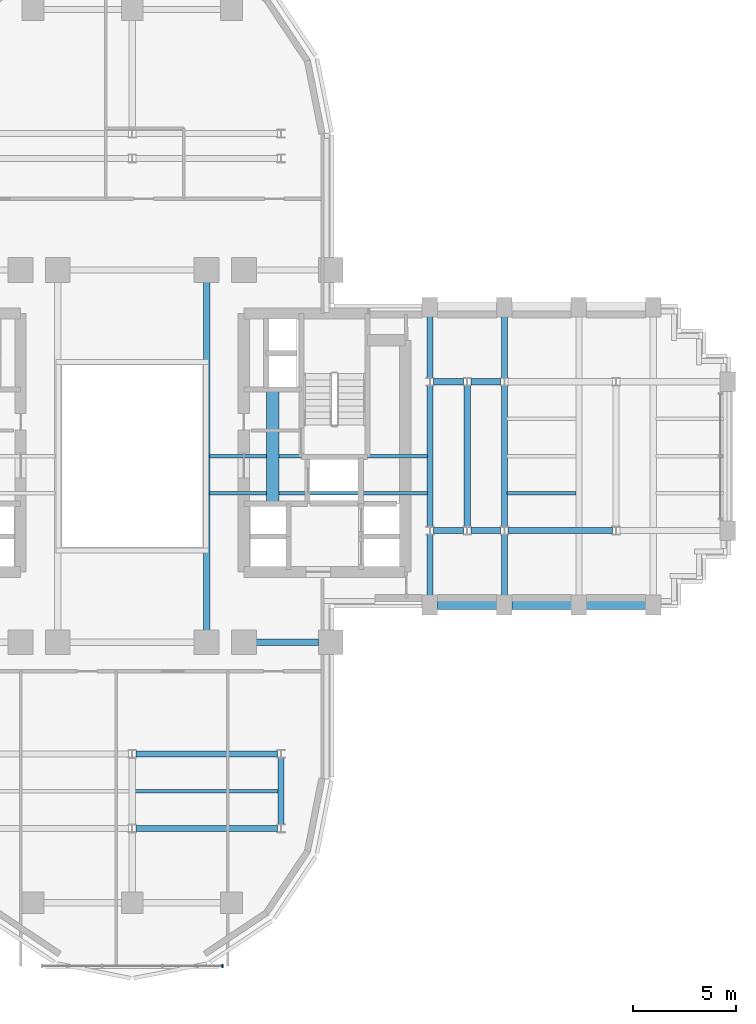
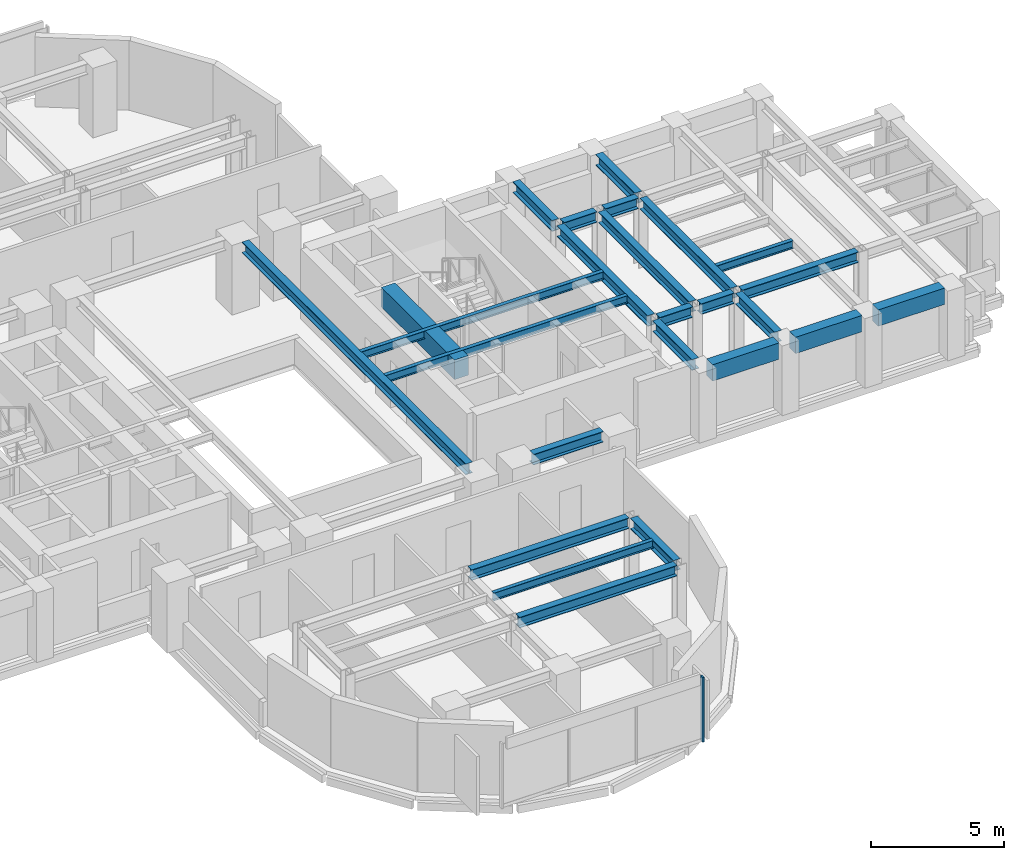
# One storey, part 5 of 16: 25 beams, 1 member, 1 element without a shape of its own.
"""IFC4 building model written with IfcOpenShell, lengths in metres."""

from ifc_helpers import new_model, si_unit, direction, frame, origin, origin_2d, place, context, subcontext, project, spatial, rectangle, i_section, extrude, source, transform, mapped, material, material_profile, profile_set, type_object, element, aggregate, save


model = new_model("IFC4")

# Units and contexts
model_context = context("Model", 3, precision=1e-05, world=origin(), true_north=direction((0.0, 1.0)))
body_context = subcontext(model_context, "Body", "Model", "MODEL_VIEW")
ifc_project = project(units=[si_unit("LENGTHUNIT", "METRE"), si_unit("AREAUNIT", "SQUARE_METRE"), si_unit("VOLUMEUNIT", "CUBIC_METRE"), si_unit("PLANEANGLEUNIT", "RADIAN"), si_unit("MASSUNIT", "GRAM", prefix="KILO")], contexts=[model_context])

# Site, building, storey
site_placement = place(None, origin())
site = spatial("IfcSite", under=ifc_project, at=site_placement, CompositionType="ELEMENT")
building_placement = place(site_placement, origin())
building = spatial("IfcBuilding", under=site, at=building_placement, Name="Keilestroom Media Tower", CompositionType="ELEMENT")
storey_placement = place(building_placement, frame((0.0, 0.0, 74.800048828125)))
storey = spatial("IfcBuildingStorey", under=building, at=storey_placement, Name="L19", CompositionType="ELEMENT", Elevation=74.800048828125)

# Beams
ifc_material_1 = material(Name="Concrete C70/85", Category="concrete")
ifc_material_profile_1 = material_profile(ifc_material_1, rectangle(XDim=0.60009765625, YDim=0.89990234375, at=origin_2d()), Name="RC 600x900")
ifc_profile_set_1 = profile_set([ifc_material_profile_1], Name="Concrete C70/85")
beam_type_1 = type_object("IfcBeamType", Name="Core-Coupling-Lintel-Beam-RC-600x900", PredefinedType="LINTEL", material=ifc_profile_set_1)
shared_shape_1 = source(origin(), body_context, "Body", "SweptSolid", [
    extrude(rectangle(XDim=0.60009765625, YDim=0.89990234375, at=origin_2d()), origin(), (0.0, 0.0, 1.0), 5.52001953125),
])
beam_1_placement = place(storey_placement, frame((6.800048828125, -2.300048828125, 2.75), z_axis=(0.0, 1.0, 0.0), x_axis=(-1.0, 0.0, 0.0)))
element("IfcBeam", 1, at=beam_1_placement, inside=storey, type_object=beam_type_1, Name="L19 Beam CLB-1 CLB-L19-E", PredefinedType="LINTEL", context=body_context, shape_type="MappedRepresentation", body=[
    mapped(shared_shape_1, transform((0.0, 0.0, 0.0), x_axis=(1.0, 0.0, 0.0), y_axis=(0.0, 1.0, 0.0), z_axis=(0.0, 0.0, 1.0), scale=1.0)),
])
ifc_material_2 = material(Name="Precast concrete C40/50", Category="concrete")
ifc_material_profile_2 = material_profile(ifc_material_2, rectangle(XDim=0.449951171875, YDim=0.75, at=origin_2d()), Name="PC 450x750")
ifc_profile_set_2 = profile_set([ifc_material_profile_2], Name="Precast concrete C40/50")
beam_type_2 = type_object("IfcBeamType", Name="Perimeter-Spandrel-Beam-PC-450x750", PredefinedType="SPANDREL", material=ifc_profile_set_2)
shared_shape_2 = source(origin(), body_context, "Body", "SweptSolid", [
    extrude(rectangle(XDim=0.449951171875, YDim=0.75, at=origin_2d()), origin(), (0.0, 0.0, 1.0), 2.889892578125),
])
beam_2_placement = place(storey_placement, frame((21.955078125, -7.199951171875, 2.824951171875), z_axis=(1.0, 0.0, 0.0), x_axis=(0.0, 1.0, 0.0)))
element("IfcBeam", 2, at=beam_2_placement, inside=storey, type_object=beam_type_2, Name="L19 Beam SPB-1 BM-L19-EW-017", PredefinedType="SPANDREL", context=body_context, shape_type="MappedRepresentation", body=[
    mapped(shared_shape_2, transform((0.0, 0.0, 0.0), x_axis=(1.0, 0.0, 0.0), y_axis=(0.0, 1.0, 0.0), z_axis=(0.0, 0.0, 1.0), scale=1.0)),
])
shared_shape_3 = source(origin(), body_context, "Body", "SweptSolid", [
    extrude(rectangle(XDim=0.449951171875, YDim=0.75, at=origin_2d()), origin(), (0.0, 0.0, 1.0), 2.89013671875),
])
for number, where, z_axis, x_axis, name in (
    (3, (14.7548828125, -7.199951171875, 2.824951171875), (1.0, 0.0, 0.0), (0.0, 1.0, 0.0), "L19 Beam SPB-1 BM-L19-EW-015"),
    (4, (18.35498046875, -7.199951171875, 2.824951171875), (1.0, 0.0, 0.0), (0.0, 1.0, 0.0), "L19 Beam SPB-1 BM-L19-EW-016"),
):
    element("IfcBeam", number, at=place(storey_placement, frame(where, z_axis=z_axis, x_axis=x_axis)), inside=storey, type_object=beam_type_2, Name=name, PredefinedType="SPANDREL", context=body_context, shape_type="MappedRepresentation", body=[
        mapped(shared_shape_3, transform((0.0, 0.0, 0.0), x_axis=(1.0, 0.0, 0.0), y_axis=(0.0, 1.0, 0.0), z_axis=(0.0, 0.0, 1.0), scale=1.0)),
    ])
ifc_material_3 = material(Name="Steel S355", Category="steel")
ifc_material_profile_3 = material_profile(ifc_material_3, i_section(OverallWidth=0.300048828125, OverallDepth=0.5, WebThickness=0.012451171875, FlangeThickness=0.028076171875, at=origin_2d()), Name="HEB 500")
ifc_profile_set_3 = profile_set([ifc_material_profile_3], Name="Steel S355")
beam_type_3 = type_object("IfcBeamType", Name="Primary-Structural-Girder-HEB-500", PredefinedType="BEAM", material=ifc_profile_set_3)
shared_shape_4 = source(origin(), body_context, "Body", "SweptSolid", [
    extrude(i_section(OverallWidth=0.300048828125, OverallDepth=0.5, WebThickness=0.012451171875, FlangeThickness=0.028076171875, at=origin_2d()), origin(), (0.0, 0.0, 1.0), 6.8330078125),
])
for number, where, z_axis, x_axis, name in (
    (5, (14.39990234375, -3.41650390625, 2.949951171875), (0.0, 1.0, 0.0), (-1.0, 0.0, 0.0), "L19 Beam BG-6 BM-L19-NS-077"),
    (6, (16.199951171875, -3.41650390625, 2.949951171875), (0.0, 1.0, 0.0), (-1.0, 0.0, 0.0), "L19 Beam BG-6 BM-L19-NS-079"),
    (7, (18.0, -3.41650390625, 2.949951171875), (0.0, 1.0, 0.0), (-1.0, 0.0, 0.0), "L19 Beam BG-6 BM-L19-NS-081"),
):
    element("IfcBeam", number, at=place(storey_placement, frame(where, z_axis=z_axis, x_axis=x_axis)), inside=storey, type_object=beam_type_3, Name=name, PredefinedType="BEAM", context=body_context, shape_type="MappedRepresentation", body=[
        mapped(shared_shape_4, transform((0.0, 0.0, 0.0), x_axis=(1.0, 0.0, 0.0), y_axis=(0.0, 1.0, 0.0), z_axis=(0.0, 0.0, 1.0), scale=1.0)),
    ])
shared_shape_5 = source(origin(), body_context, "Body", "SweptSolid", [
    extrude(i_section(OverallWidth=0.300048828125, OverallDepth=0.5, WebThickness=0.012451171875, FlangeThickness=0.028076171875, at=origin_2d()), origin(), (0.0, 0.0, 1.0), 2.961669921875),
])
for number, where, z_axis, x_axis, name in (
    (8, (14.39990234375, -6.7451171875, 2.949951171875), (0.0, 1.0, 0.0), (-1.0, 0.0, 0.0), "L19 Beam BG-6 BM-L19-NS-076"),
    (9, (14.39990234375, 3.783447265625, 2.949951171875), (0.0, 1.0, 0.0), (-1.0, 0.0, 0.0), "L19 Beam BG-6 BM-L19-NS-078"),
    (10, (18.0, -6.7451171875, 2.949951171875), (0.0, 1.0, 0.0), (-1.0, 0.0, 0.0), "L19 Beam BG-6 BM-L19-NS-080"),
    (11, (18.0, 3.783447265625, 2.949951171875), (0.0, 1.0, 0.0), (-1.0, 0.0, 0.0), "L19 Beam BG-6 BM-L19-NS-082"),
):
    element("IfcBeam", number, at=place(storey_placement, frame(where, z_axis=z_axis, x_axis=x_axis)), inside=storey, type_object=beam_type_3, Name=name, PredefinedType="BEAM", context=body_context, shape_type="MappedRepresentation", body=[
        mapped(shared_shape_5, transform((0.0, 0.0, 0.0), x_axis=(1.0, 0.0, 0.0), y_axis=(0.0, 1.0, 0.0), z_axis=(0.0, 0.0, 1.0), scale=1.0)),
    ])
shared_shape_6 = source(origin(), body_context, "Body", "SweptSolid", [
    extrude(i_section(OverallWidth=0.300048828125, OverallDepth=0.5, WebThickness=0.012451171875, FlangeThickness=0.028076171875, at=origin_2d()), origin(), (0.0, 0.0, 1.0), 3.23291015625),
])
beam_3_placement = place(storey_placement, frame((7.199951171875, -17.81640625, 2.949951171875), z_axis=(0.0, 1.0, 0.0), x_axis=(-1.0, 0.0, 0.0)))
element("IfcBeam", 12, at=beam_3_placement, inside=storey, type_object=beam_type_3, Name="L19 Beam BG-6 BM-L19-NS-073", PredefinedType="BEAM", context=body_context, shape_type="MappedRepresentation", body=[
    mapped(shared_shape_6, transform((0.0, 0.0, 0.0), x_axis=(1.0, 0.0, 0.0), y_axis=(0.0, 1.0, 0.0), z_axis=(0.0, 0.0, 1.0), scale=1.0)),
])
shared_shape_7 = source(origin(), body_context, "Body", "SweptSolid", [
    extrude(i_section(OverallWidth=0.300048828125, OverallDepth=0.5, WebThickness=0.012451171875, FlangeThickness=0.028076171875, at=origin_2d()), origin(), (0.0, 0.0, 1.0), 16.83984375),
])
beam_4_placement = place(storey_placement, frame((3.60009765625, -8.419921875, 2.949951171875), z_axis=(0.0, 1.0, 0.0), x_axis=(-1.0, 0.0, 0.0)))
element("IfcBeam", 13, at=beam_4_placement, inside=storey, type_object=beam_type_3, Name="L19 Beam BG-6 BM-L19-NS-071", PredefinedType="BEAM", context=body_context, shape_type="MappedRepresentation", body=[
    mapped(shared_shape_7, transform((0.0, 0.0, 0.0), x_axis=(1.0, 0.0, 0.0), y_axis=(0.0, 1.0, 0.0), z_axis=(0.0, 0.0, 1.0), scale=1.0)),
])
ifc_material_profile_4 = material_profile(ifc_material_3, i_section(OverallWidth=0.300048828125, OverallDepth=0.489990234375, WebThickness=0.011962890625, FlangeThickness=0.02294921875, at=origin_2d()), Name="HEA 500")
ifc_profile_set_4 = profile_set([ifc_material_profile_4], Name="Steel S355")
beam_type_4 = type_object("IfcBeamType", Name="Primary-Structural-Girder-HEA-500", PredefinedType="BEAM", material=ifc_profile_set_4)
shared_shape_8 = source(origin(), body_context, "Body", "SweptSolid", [
    extrude(i_section(OverallWidth=0.300048828125, OverallDepth=0.489990234375, WebThickness=0.011962890625, FlangeThickness=0.02294921875, at=origin_2d()), origin(), (0.0, 0.0, 1.0), 6.836181640625),
])
for number, where, z_axis, x_axis, name in (
    (14, (0.181884765625, -18.0, 2.954833984375), (1.0, 0.0, 0.0), (0.0, 1.0, 0.0), "L19 Beam BG-10 BM-L19-EW-004"),
    (15, (0.181884765625, -14.39990234375, 2.954833984375), (1.0, 0.0, 0.0), (0.0, 1.0, 0.0), "L19 Beam BG-10 BM-L19-EW-006"),
):
    element("IfcBeam", number, at=place(storey_placement, frame(where, z_axis=z_axis, x_axis=x_axis)), inside=storey, type_object=beam_type_4, Name=name, PredefinedType="BEAM", context=body_context, shape_type="MappedRepresentation", body=[
        mapped(shared_shape_8, transform((0.0, 0.0, 0.0), x_axis=(1.0, 0.0, 0.0), y_axis=(0.0, 1.0, 0.0), z_axis=(0.0, 0.0, 1.0), scale=1.0)),
    ])
shared_shape_9 = source(origin(), body_context, "Body", "SweptSolid", [
    extrude(i_section(OverallWidth=0.300048828125, OverallDepth=0.489990234375, WebThickness=0.011962890625, FlangeThickness=0.02294921875, at=origin_2d()), origin(), (0.0, 0.0, 1.0), 3.0400390625),
])
beam_5_placement = place(storey_placement, frame((5.97998046875, -9.0, 2.954833984375), z_axis=(1.0, 0.0, 0.0), x_axis=(0.0, 1.0, 0.0)))
element("IfcBeam", 16, at=beam_5_placement, inside=storey, type_object=beam_type_4, Name="L19 Beam BG-10 BM-L19-EW-011", PredefinedType="BEAM", context=body_context, shape_type="MappedRepresentation", body=[
    mapped(shared_shape_9, transform((0.0, 0.0, 0.0), x_axis=(1.0, 0.0, 0.0), y_axis=(0.0, 1.0, 0.0), z_axis=(0.0, 0.0, 1.0), scale=1.0)),
])
shared_shape_10 = source(origin(), body_context, "Body", "SweptSolid", [
    extrude(i_section(OverallWidth=0.300048828125, OverallDepth=0.489990234375, WebThickness=0.011962890625, FlangeThickness=0.02294921875, at=origin_2d()), origin(), (0.0, 0.0, 1.0), 5.0361328125),
])
beam_6_placement = place(storey_placement, frame((18.181884765625, -3.60009765625, 2.954833984375), z_axis=(1.0, 0.0, 0.0), x_axis=(0.0, 1.0, 0.0)))
element("IfcBeam", 17, at=beam_6_placement, inside=storey, type_object=beam_type_4, Name="L19 Beam BG-10 BM-L19-EW-024", PredefinedType="BEAM", context=body_context, shape_type="MappedRepresentation", body=[
    mapped(shared_shape_10, transform((0.0, 0.0, 0.0), x_axis=(1.0, 0.0, 0.0), y_axis=(0.0, 1.0, 0.0), z_axis=(0.0, 0.0, 1.0), scale=1.0)),
])
shared_shape_11 = source(origin(), body_context, "Body", "SweptSolid", [
    extrude(i_section(OverallWidth=0.300048828125, OverallDepth=0.489990234375, WebThickness=0.011962890625, FlangeThickness=0.02294921875, at=origin_2d()), origin(), (0.0, 0.0, 1.0), 1.43603515625),
])
for number, where, z_axis, x_axis, name in (
    (18, (14.58203125, -3.60009765625, 2.954833984375), (1.0, 0.0, 0.0), (0.0, 1.0, 0.0), "L19 Beam BG-10 BM-L19-EW-022"),
    (19, (16.382080078125, -3.60009765625, 2.954833984375), (1.0, 0.0, 0.0), (0.0, 1.0, 0.0), "L19 Beam BG-10 BM-L19-EW-023"),
    (20, (14.58203125, 3.60009765625, 2.954833984375), (1.0, 0.0, 0.0), (0.0, 1.0, 0.0), "L19 Beam BG-10 BM-L19-EW-030"),
    (21, (16.382080078125, 3.60009765625, 2.954833984375), (1.0, 0.0, 0.0), (0.0, 1.0, 0.0), "L19 Beam BG-10 BM-L19-EW-031"),
):
    element("IfcBeam", number, at=place(storey_placement, frame(where, z_axis=z_axis, x_axis=x_axis)), inside=storey, type_object=beam_type_4, Name=name, PredefinedType="BEAM", context=body_context, shape_type="MappedRepresentation", body=[
        mapped(shared_shape_11, transform((0.0, 0.0, 0.0), x_axis=(1.0, 0.0, 0.0), y_axis=(0.0, 1.0, 0.0), z_axis=(0.0, 0.0, 1.0), scale=1.0)),
    ])
ifc_material_profile_5 = material_profile(ifc_material_3, i_section(OverallWidth=0.169921875, OverallDepth=0.360107421875, WebThickness=0.008056640625, FlangeThickness=0.0126953125, at=origin_2d()), Name="IPE 360")
ifc_profile_set_5 = profile_set([ifc_material_profile_5], Name="Steel S355")
beam_type_5 = type_object("IfcBeamType", Name="Secondary-Floor-Joist-IPE-360", PredefinedType="JOIST", material=ifc_profile_set_5)
shared_shape_12 = source(origin(), body_context, "Body", "SweptSolid", [
    extrude(i_section(OverallWidth=0.169921875, OverallDepth=0.360107421875, WebThickness=0.008056640625, FlangeThickness=0.0126953125, at=origin_2d()), origin(), (0.0, 0.0, 1.0), 6.940185546875),
])
beam_7_placement = place(storey_placement, frame((0.1298828125, -16.199951171875, 3.02001953125), z_axis=(1.0, 0.0, 0.0), x_axis=(0.0, 1.0, 0.0)))
element("IfcBeam", 22, at=beam_7_placement, inside=storey, type_object=beam_type_5, Name="L19 Beam BJ-5 JST-L19-088", PredefinedType="JOIST", context=body_context, shape_type="MappedRepresentation", body=[
    mapped(shared_shape_12, transform((0.0, 0.0, 0.0), x_axis=(1.0, 0.0, 0.0), y_axis=(0.0, 1.0, 0.0), z_axis=(0.0, 0.0, 1.0), scale=1.0)),
])
shared_shape_13 = source(origin(), body_context, "Body", "SweptSolid", [
    extrude(i_section(OverallWidth=0.169921875, OverallDepth=0.360107421875, WebThickness=0.008056640625, FlangeThickness=0.0126953125, at=origin_2d()), origin(), (0.0, 0.0, 1.0), 3.340087890625),
])
beam_8_placement = place(storey_placement, frame((18.1298828125, -1.800048828125, 3.02001953125), z_axis=(1.0, 0.0, 0.0), x_axis=(0.0, 1.0, 0.0)))
element("IfcBeam", 23, at=beam_8_placement, inside=storey, type_object=beam_type_5, Name="L19 Beam BJ-5 JST-L19-094", PredefinedType="JOIST", context=body_context, shape_type="MappedRepresentation", body=[
    mapped(shared_shape_13, transform((0.0, 0.0, 0.0), x_axis=(1.0, 0.0, 0.0), y_axis=(0.0, 1.0, 0.0), z_axis=(0.0, 0.0, 1.0), scale=1.0)),
])
shared_shape_14 = source(origin(), body_context, "Body", "SweptSolid", [
    extrude(i_section(OverallWidth=0.169921875, OverallDepth=0.360107421875, WebThickness=0.008056640625, FlangeThickness=0.0126953125, at=origin_2d()), origin(), (0.0, 0.0, 1.0), 10.5400390625),
])
for number, where, z_axis, x_axis, name in (
    (24, (3.72998046875, -1.800048828125, 3.02001953125), (1.0, 0.0, 0.0), (0.0, 1.0, 0.0), "L19 Beam BJ-5 JST-L19-093"),
    (25, (3.72998046875, 0.0, 3.02001953125), (1.0, 0.0, 0.0), (0.0, 1.0, 0.0), "L19 Beam BJ-5 JST-L19-100"),
):
    element("IfcBeam", number, at=place(storey_placement, frame(where, z_axis=z_axis, x_axis=x_axis)), inside=storey, type_object=beam_type_5, Name=name, PredefinedType="JOIST", context=body_context, shape_type="MappedRepresentation", body=[
        mapped(shared_shape_14, transform((0.0, 0.0, 0.0), x_axis=(1.0, 0.0, 0.0), y_axis=(0.0, 1.0, 0.0), z_axis=(0.0, 0.0, 1.0), scale=1.0)),
    ])

# Curtain wall, member
ifc_material_4 = material(Name="Anodised Aluminium Alloy", Category="aluminium")
curtain_wall_type = type_object("IfcCurtainWallType", Name="Unitised-Curtain-Wall-CW-6", PredefinedType="NOTDEFINED", material=ifc_material_4)
curtain_wall_placement = place(storey_placement, origin())
curtain_wall = element("IfcCurtainWall", 26, at=curtain_wall_placement, inside=storey, type_object=curtain_wall_type, Name="L19 Curtain Wall CW-6 CW-L19-LS-1", PredefinedType="NOTDEFINED")
ifc_material_profile_6 = material_profile(ifc_material_4, rectangle(XDim=0.06494140625, YDim=0.179931640625, at=origin_2d()), Name="ALU MULLION 65x180")
ifc_profile_set_6 = profile_set([ifc_material_profile_6], Name="Anodised Aluminium Alloy")
member_type = type_object("IfcMemberType", Name="Curtain-Wall-Mullion-CW-6", PredefinedType="MULLION", material=ifc_profile_set_6)
shared_shape_15 = source(origin(), body_context, "Body", "SweptSolid", [
    extrude(rectangle(XDim=0.06494140625, YDim=0.179931640625, at=origin_2d()), origin(), (0.0, 0.0, 1.0), 2.97998046875),
])
member_placement = place(storey_placement, frame((4.367431640625, -24.64990234375, 0.0), z_axis=(0.0, 0.0, 1.0), x_axis=(1.0, 0.0, 0.0)))
member = element("IfcMember", 27, at=member_placement, type_object=member_type, Name="CW-6 Mullion 03", PredefinedType="MULLION", context=body_context, shape_type="MappedRepresentation", body=[
    mapped(shared_shape_15, transform((0.0, 0.0, 0.0), x_axis=(1.0, 0.0, 0.0), y_axis=(0.0, 1.0, 0.0), z_axis=(0.0, 0.0, 1.0), scale=1.0)),
])
aggregate(curtain_wall, [member])

save(model, "model.ifc")
